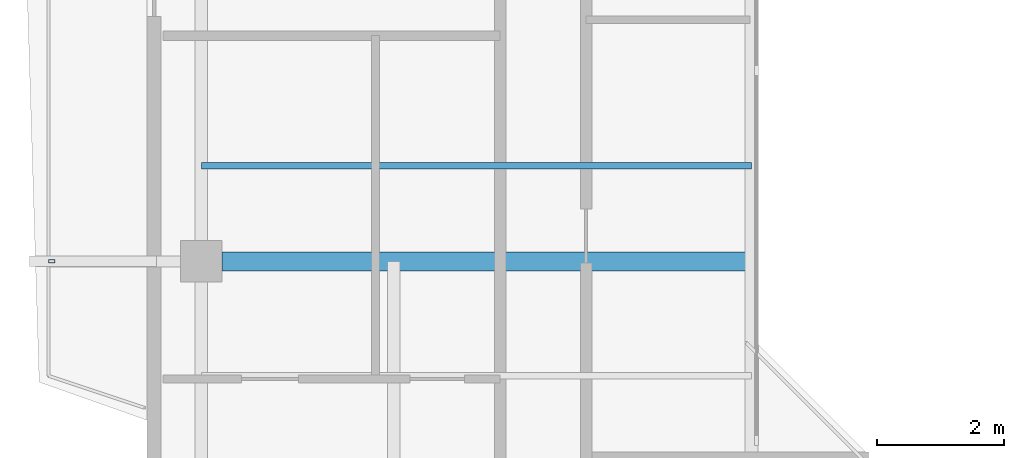
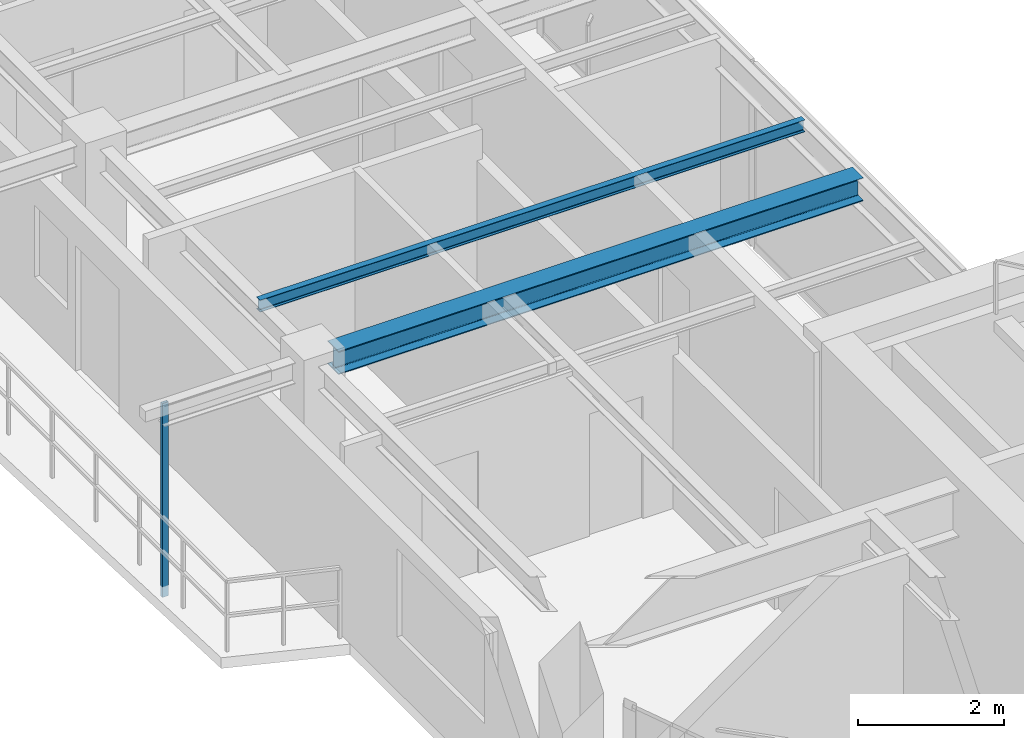
# One storey, part 3 of 14: 2 beams, 1 member.
"""IFC4 building model written with IfcOpenShell, lengths in metres."""

from ifc_helpers import new_model, si_unit, direction, frame, origin, origin_2d, place, context, subcontext, project, spatial, hollow_rectangle, i_section, extrude, source, transform, mapped, material, material_profile, profile_set, type_object, element, save


model = new_model("IFC4")

# Units and contexts
model_context = context("Model", 3, precision=1e-05, world=origin(), true_north=direction((0.0, 1.0)))
body_context = subcontext(model_context, "Body", "Model", "MODEL_VIEW")
ifc_project = project(units=[si_unit("LENGTHUNIT", "METRE"), si_unit("AREAUNIT", "SQUARE_METRE"), si_unit("VOLUMEUNIT", "CUBIC_METRE"), si_unit("PLANEANGLEUNIT", "RADIAN"), si_unit("MASSUNIT", "GRAM", prefix="KILO"), si_unit("THERMODYNAMICTEMPERATUREUNIT", "KELVIN"), si_unit("POWERUNIT", "WATT")], contexts=[model_context])

# Site, building, storey
site_placement = place(None, origin())
site = spatial("IfcSite", under=ifc_project, at=site_placement, CompositionType="ELEMENT")
building_placement = place(site_placement, origin())
building = spatial("IfcBuilding", under=site, at=building_placement, Name="Qiaomeng Ring Towers", CompositionType="ELEMENT")
storey_placement = place(building_placement, frame((0.0, 0.0, 253.5)))
storey = spatial("IfcBuildingStorey", under=building, at=storey_placement, Name="L74", CompositionType="ELEMENT", Elevation=253.5)

# Beams
ifc_material_1 = material(Name="Steel Q355B", Category="steel")
ifc_material_profile_1 = material_profile(ifc_material_1, i_section(OverallWidth=0.300048828125, OverallDepth=0.389892578125, WebThickness=0.010009765625, FlangeThickness=0.01611328125, FilletRadius=0.02197265625, at=origin_2d()), Name="HM 390x300x10x16")
ifc_profile_set_1 = profile_set([ifc_material_profile_1], Name="Steel Q355B")
beam_type_1 = type_object("IfcBeamType", Name="STR-BM-HM390", PredefinedType="BEAM", material=ifc_profile_set_1)
shared_shape_1 = source(origin(), body_context, "Body", "SweptSolid", [
    extrude(i_section(OverallWidth=0.300048828125, OverallDepth=0.389892578125, WebThickness=0.010009765625, FlangeThickness=0.01611328125, FilletRadius=0.02197265625, at=origin_2d()), origin(), (0.0, 0.0, 1.0), 8.325927734375),
])
beam_1_placement = place(storey_placement, frame((4.47412109375, 20.0, 2.875), z_axis=(1.0, 0.0, 0.0), x_axis=(0.0, 1.0, 0.0)))
element("IfcBeam", 1, at=beam_1_placement, inside=storey, type_object=beam_type_1, Name="L74 beam STR-BM-L74-T1-RAD-W2", PredefinedType="BEAM", context=body_context, shape_type="MappedRepresentation", body=[
    mapped(shared_shape_1, transform((0.0, 0.0, 0.0), x_axis=(1.0, 0.0, 0.0), y_axis=(0.0, 1.0, 0.0), z_axis=(0.0, 0.0, 1.0), scale=1.0)),
])
ifc_material_profile_2 = material_profile(ifc_material_1, i_section(OverallWidth=0.10009765625, OverallDepth=0.199951171875, WebThickness=0.005615234375, FlangeThickness=0.008056640625, FilletRadius=0.010986328125, at=origin_2d()), Name="HN 200x100x5.5x8")
ifc_profile_set_2 = profile_set([ifc_material_profile_2], Name="Steel Q355B")
beam_type_2 = type_object("IfcBeamType", Name="STR-BM-HN200", PredefinedType="JOIST", material=ifc_profile_set_2)
shared_shape_2 = source(origin(), body_context, "Body", "SweptSolid", [
    extrude(i_section(OverallWidth=0.10009765625, OverallDepth=0.199951171875, WebThickness=0.005615234375, FlangeThickness=0.008056640625, FilletRadius=0.010986328125, at=origin_2d()), origin(), (0.0, 0.0, 1.0), 8.650146484375),
])
beam_2_placement = place(storey_placement, frame((4.14990234375, 21.5, 2.969970703125), z_axis=(1.0, 0.0, 0.0), x_axis=(0.0, 1.0, 0.0)))
element("IfcBeam", 2, at=beam_2_placement, inside=storey, type_object=beam_type_2, Name="L74 beam STR-JST-L74-T1W-2", PredefinedType="JOIST", context=body_context, shape_type="MappedRepresentation", body=[
    mapped(shared_shape_2, transform((0.0, 0.0, 0.0), x_axis=(1.0, 0.0, 0.0), y_axis=(0.0, 1.0, 0.0), z_axis=(0.0, 0.0, 1.0), scale=1.0)),
])

# Member
ifc_material_2 = material(Name="Stainless steel 316", Category="steel")
ifc_material_profile_3 = material_profile(ifc_material_2, hollow_rectangle(XDim=0.050048828125, YDim=0.10009765625, WallThickness=0.00390625, at=origin_2d()), Name="SS TRELLIS 100x50")
ifc_profile_set_3 = profile_set([ifc_material_profile_3], Name="Stainless steel 316")
member_type = type_object("IfcMemberType", Name="ARC-TR-POST2", PredefinedType="STUD", material=ifc_profile_set_3)
shared_shape_3 = source(origin(), body_context, "Body", "SweptSolid", [
    extrude(hollow_rectangle(XDim=0.050048828125, YDim=0.10009765625, WallThickness=0.00390625, at=origin_2d()), origin(), (0.0, 0.0, 1.0), 3.25),
])
member_placement = place(storey_placement, frame((1.800048828125, 20.0, -0.179931640625), z_axis=(0.0, 0.0, 1.0), x_axis=(0.0, 1.0, 0.0)))
element("IfcMember", 3, at=member_placement, inside=storey, type_object=member_type, Name="L74 Outer Ventilated Trellis Post W", PredefinedType="STUD", context=body_context, shape_type="MappedRepresentation", body=[
    mapped(shared_shape_3, transform((0.0, 0.0, 0.0), x_axis=(1.0, 0.0, 0.0), y_axis=(0.0, 1.0, 0.0), z_axis=(0.0, 0.0, 1.0), scale=1.0)),
])

save(model, "model.ifc")
